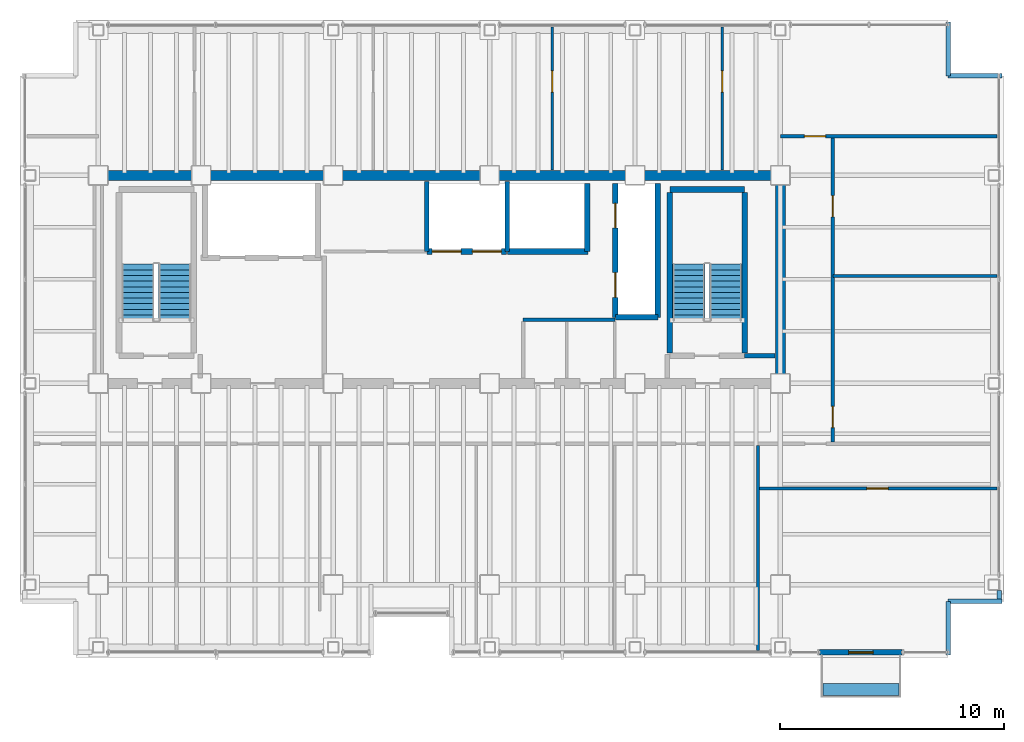
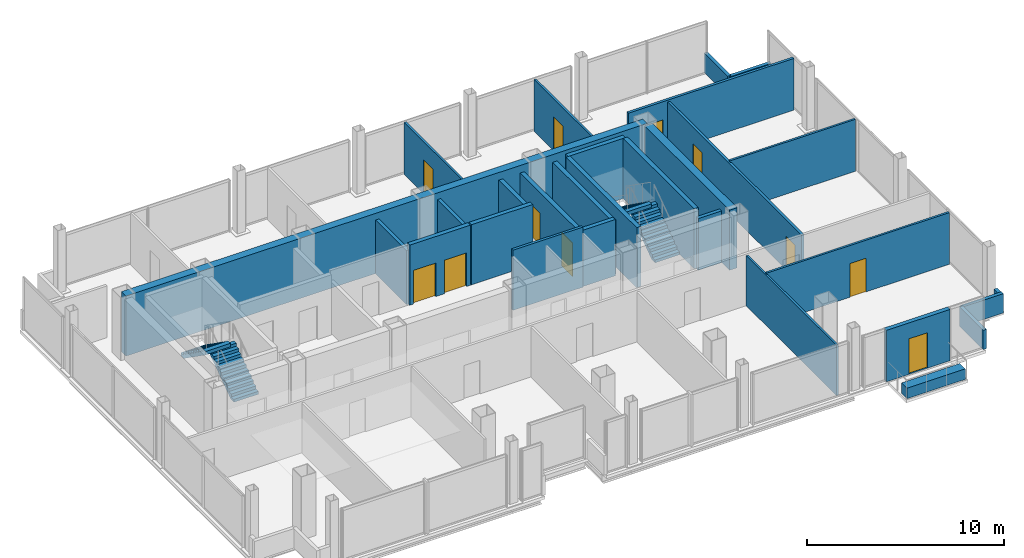
# One storey, part 14 of 16: 28 walls, 11 doors, 4 stair flights, 1 discrete accessory, 11 openings, 2 elements without a shape of their own.
"""IFC4 building model written with IfcOpenShell, lengths in metres."""

from ifc_helpers import new_model, si_unit, direction, frame, frame_2d, origin, origin_2d, place, context, subcontext, project, spatial, polyline, rectangle, outline, extrude, material, layer, layer_set, type_object, element, fill, aggregate, save


model = new_model("IFC4")

# Units and contexts
model_context = context("Model", 3, precision=1e-05, world=origin(), true_north=direction((0.0, 1.0)))
body_context = subcontext(model_context, "Body", "Model", "MODEL_VIEW")
ifc_project = project(units=[si_unit("LENGTHUNIT", "METRE"), si_unit("AREAUNIT", "SQUARE_METRE"), si_unit("VOLUMEUNIT", "CUBIC_METRE"), si_unit("PLANEANGLEUNIT", "RADIAN"), si_unit("MASSUNIT", "GRAM", prefix="KILO")], contexts=[model_context])

# Site, building, storey
site_placement = place(None, origin())
site = spatial("IfcSite", under=ifc_project, at=site_placement, CompositionType="ELEMENT")
building_placement = place(site_placement, origin())
building = spatial("IfcBuilding", under=site, at=building_placement, Name="Noeulbin Bourse Tower", CompositionType="ELEMENT")
storey_placement = place(building_placement, frame((0.0, 0.0, 181.199951171875)))
storey = spatial("IfcBuildingStorey", under=building, at=storey_placement, Name="L45", CompositionType="ELEMENT", Elevation=181.199951171875)

# Walls
ifc_material_1 = material(Name="Concrete C50/60", Category="concrete")
ifc_layer_1 = layer(ifc_material_1, 0.449951171875)
ifc_layer_set_1 = layer_set([ifc_layer_1], Name="Concrete C50/60")
wall_type_1 = type_object("IfcWallType", Name="WAL-CORE-450", PredefinedType="SHEAR", material=ifc_layer_set_1)
wall_1_placement = place(storey_placement, frame((13.5, 38.300048828125, 0.0), z_axis=(0.0, 0.0, 1.0), x_axis=(1.0, 0.0, 0.0)))
element("IfcWall", 1, at=wall_1_placement, inside=storey, type_object=wall_type_1, Name="Rear Core North Shear Wall L45", PredefinedType="SHEAR", context=body_context, shape_type="SweptSolid", body=[
    extrude(rectangle(XDim=30.5, YDim=0.449951171875, at=frame_2d((15.25, 0.0))), origin(), (0.0, 0.0, 1.0), 3.719970703125),
])
wall_2_placement = place(storey_placement, frame((44.0, 29.35009765625, 0.0), z_axis=(0.0, 0.0, 1.0), x_axis=(0.0, 1.0, 0.0)))
element("IfcWall", 2, at=wall_2_placement, inside=storey, type_object=wall_type_1, Name="Rear Core East Shear Wall L45", PredefinedType="SHEAR", context=body_context, shape_type="SweptSolid", body=[
    extrude(rectangle(XDim=8.599853515625, YDim=0.449951171875, at=frame_2d((4.2998046875, 0.0))), origin(), (0.0, 0.0, 1.0), 3.719970703125),
])

# Wall, opening, door
ifc_material_2 = material(Name="Precast Concrete C40/50", Category="concrete")
ifc_layer_2 = layer(ifc_material_2, 0.25)
ifc_layer_set_2 = layer_set([ifc_layer_2], Name="Precast Concrete C40/50")
wall_type_2 = type_object("IfcWallType", Name="WAL-EXT-250", PredefinedType="STANDARD", material=ifc_layer_set_2)
wall_3_placement = place(storey_placement, frame((45.75, 16.969970703125, 0.0), z_axis=(0.0, 0.0, 1.0), x_axis=(1.0, 0.0, 0.0)))
wall_3 = element("IfcWall", 3, at=wall_3_placement, inside=storey, type_object=wall_type_2, Name="Balcony Threshold Wall L45", PredefinedType="STANDARD", context=body_context, shape_type="SweptSolid", body=[
    extrude(rectangle(XDim=3.699951171875, YDim=0.25, at=frame_2d((1.85009765625, 0.0))), origin(), (0.0, 0.0, 1.0), 3.179931640625),
])
opening_1_placement = place(wall_3_placement, frame((1.300048828125, 0.0, 0.0)))
opening_1 = element("IfcOpeningElement", 4, at=opening_1_placement, cuts=wall_3, Name="Opening BD-11", PredefinedType="OPENING", context=body_context, shape_type="SweptSolid", body=[
    extrude(rectangle(XDim=1.10009765625, YDim=2.199951171875, at=frame_2d((0.550048828125, 1.10009765625))), frame((0.0, 0.135009765625, 0.0), z_axis=(0.0, -1.0, 0.0), x_axis=(1.0, 0.0, 0.0)), (0.0, 0.0, 1.0), 0.27001953125),
])
ifc_material_3 = material(Name="Thermally Broken Aluminium Framed Glass", Category="aluminium")
door_type_1 = type_object("IfcDoorType", Name="DR-BAL-1100", OperationType="SINGLE_SWING_LEFT", PredefinedType="DOOR", material=ifc_material_3)
door_1_placement = place(opening_1_placement, origin())
door_1 = element("IfcDoor", 5, at=door_1_placement, inside=storey, type_object=door_type_1, Name="Tree-Balcony Access Door BD-L45", OperationType="SINGLE_SWING_LEFT", OverallHeight=2.199951171875, OverallWidth=1.10009765625, PredefinedType="DOOR", context=body_context, shape_type="SweptSolid", body=[
    extrude(rectangle(XDim=1.10009765625, YDim=2.199951171875, at=frame_2d((0.550048828125, 1.10009765625))), frame((0.0, 0.02490234375, 0.0), z_axis=(0.0, -1.0, 0.0), x_axis=(1.0, 0.0, 0.0)), (0.0, 0.0, 1.0), 0.050048828125),
])
fill(opening_1, door_1)

# Walls
ifc_material_4 = material(Name="Concrete C40/50", Category="concrete")
ifc_layer_3 = layer(ifc_material_4, 0.199951171875)
ifc_layer_set_3 = layer_set([ifc_layer_3], Name="Concrete C40/50")
wall_type_3 = type_object("IfcWallType", Name="WAL-FIRE-200", PredefinedType="STANDARD", material=ifc_layer_set_3)
wall_4_placement = place(storey_placement, frame((42.39990234375, 30.239990234375, 0.0), z_axis=(0.0, 0.0, 1.0), x_axis=(1.0, 0.0, 0.0)))
element("IfcWall", 6, at=wall_4_placement, inside=storey, type_object=wall_type_3, Name="Interior Partition Wall L45-01", PredefinedType="STANDARD", context=body_context, shape_type="SweptSolid", body=[
    extrude(rectangle(XDim=1.364990234375, YDim=0.199951171875, at=frame_2d((0.6826171875, 0.0))), origin(), (0.0, 0.0, 1.0), 3.199951171875),
])
ifc_layer_4 = layer(ifc_material_4, 0.199951171875)
ifc_layer_set_4 = layer_set([ifc_layer_4], Name="Concrete C40/50")
wall_type_4 = type_object("IfcWallType", Name="WAL-PAR-200", PredefinedType="PARAPET", material=ifc_layer_set_4)
wall_5_placement = place(storey_placement, frame((53.780029296875, 19.35009765625, 0.0), z_axis=(0.0, 0.0, 1.0), x_axis=(0.0, 1.0, 0.0)))
element("IfcWall", 7, at=wall_5_placement, inside=storey, type_object=wall_type_4, Name="Perimeter Pier Spandrel Parapet L45-E3", PredefinedType="PARAPET", context=body_context, shape_type="SweptSolid", body=[
    extrude(rectangle(XDim=0.3798828125, YDim=0.199951171875, at=frame_2d((0.18994140625, 0.0))), origin(), (0.0, 0.0, 1.0), 1.199951171875),
])
for number, where, z_axis, x_axis, name in (
    (8, (51.5, 16.85009765625, 0.0), (0.0, 0.0, 1.0), (0.0, 1.0, 0.0), "Corner Notch Parapet L45-SE1"),
    (9, (51.5, 19.25, 0.0), (0.0, 0.0, 1.0), (1.0, 0.0, 0.0), "Corner Notch Parapet L45-SE2"),
    (10, (51.5, 45.14990234375, 0.0), (0.0, 0.0, 1.0), (0.0, -1.0, 0.0), "Corner Notch Parapet L45-NE1"),
    (11, (51.5, 42.75, 0.0), (0.0, 0.0, 1.0), (1.0, 0.0, 0.0), "Corner Notch Parapet L45-NE2"),
):
    element("IfcWall", number, at=place(storey_placement, frame(where, z_axis=z_axis, x_axis=x_axis)), inside=storey, type_object=wall_type_4, Name=name, PredefinedType="PARAPET", context=body_context, shape_type="SweptSolid", body=[
        extrude(rectangle(XDim=2.39990234375, YDim=0.199951171875, at=frame_2d((1.199951171875, 0.0))), origin(), (0.0, 0.0, 1.0), 1.199951171875),
    ])

# Wall, opening, door
ifc_material_5 = material(Name="Steel Stud Gypsum Partition", Category="steel")
ifc_layer_5 = layer(ifc_material_5, 0.1201171875)
ifc_layer_set_5 = layer_set([ifc_layer_5], Name="Steel Stud Gypsum Partition")
wall_type_5 = type_object("IfcWallType", Name="WAL-PRT-120", PredefinedType="PARTITIONING", material=ifc_layer_set_5)
wall_6_placement = place(storey_placement, frame((43.0, 24.300048828125, 0.0), z_axis=(0.0, 0.0, 1.0), x_axis=(1.0, 0.0, 0.0)))
wall_6 = element("IfcWall", 12, at=wall_6_placement, inside=storey, type_object=wall_type_5, Name="Interior Partition Wall L45-05", PredefinedType="PARTITIONING", context=body_context, shape_type="SweptSolid", body=[
    extrude(rectangle(XDim=10.68994140625, YDim=0.1201171875, at=frame_2d((5.344970703125, 0.0))), origin(), (0.0, 0.0, 1.0), 3.199951171875),
])
opening_2_placement = place(wall_6_placement, frame((4.8701171875, 0.0, 0.0)))
opening_2 = element("IfcOpeningElement", 13, at=opening_2_placement, cuts=wall_6, Name="Opening ID-09", PredefinedType="OPENING", context=body_context, shape_type="SweptSolid", body=[
    extrude(rectangle(XDim=0.949951171875, YDim=2.080078125, at=frame_2d((0.47509765625, 1.0400390625))), frame((0.0, 0.070068359375, 0.0), z_axis=(0.0, -1.0, 0.0), x_axis=(1.0, 0.0, 0.0)), (0.0, 0.0, 1.0), 0.14013671875),
])
ifc_material_6 = material(Name="Acoustic Solid-Core Timber", Category="wood")
door_type_2 = type_object("IfcDoorType", Name="DR-SINGLE-950", OperationType="SINGLE_SWING_LEFT", PredefinedType="DOOR", material=ifc_material_6)
door_2_placement = place(opening_2_placement, origin())
door_2 = element("IfcDoor", 14, at=door_2_placement, inside=storey, type_object=door_type_2, Name="Interior Door L45-13", OperationType="SINGLE_SWING_LEFT", OverallHeight=2.080078125, OverallWidth=0.949951171875, PredefinedType="DOOR", context=body_context, shape_type="SweptSolid", body=[
    extrude(rectangle(XDim=0.949951171875, YDim=2.080078125, at=frame_2d((0.47509765625, 1.0400390625))), frame((0.0, 0.02490234375, 0.0), z_axis=(0.0, -1.0, 0.0), x_axis=(1.0, 0.0, 0.0)), (0.0, 0.0, 1.0), 0.050048828125),
])
fill(opening_2, door_2)

# Walls
wall_7_placement = place(storey_placement, frame((46.35009765625, 33.800048828125, 0.0), z_axis=(0.0, 0.0, 1.0), x_axis=(1.0, 0.0, 0.0)))
element("IfcWall", 15, at=wall_7_placement, inside=storey, type_object=wall_type_5, Name="Interior Partition Wall L45-06", PredefinedType="PARTITIONING", context=body_context, shape_type="SweptSolid", body=[
    extrude(rectangle(XDim=7.33984375, YDim=0.1201171875, at=frame_2d((3.669921875, 0.0))), origin(), (0.0, 0.0, 1.0), 3.212158203125),
])
wall_8_placement = place(storey_placement, frame((43.0, 17.06005859375, 0.0), z_axis=(0.0, 0.0, 1.0), x_axis=(0.0, 1.0, 0.0)))
element("IfcWall", 16, at=wall_8_placement, inside=storey, type_object=wall_type_5, Name="Interior Partition Wall L45-20", PredefinedType="PARTITIONING", context=body_context, shape_type="SweptSolid", body=[
    extrude(rectangle(XDim=9.155029296875, YDim=0.1201171875, at=frame_2d((4.57763671875, 0.0))), origin(), (0.0, 0.0, 1.0), 3.10009765625),
])

# Wall, opening, door
wall_9_placement = place(storey_placement, frame((33.800048828125, 38.534912109375, 0.0), z_axis=(0.0, 0.0, 1.0), x_axis=(0.0, 1.0, 0.0)))
wall_9 = element("IfcWall", 17, at=wall_9_placement, inside=storey, type_object=wall_type_5, Name="Interior Partition Wall L45-23", PredefinedType="PARTITIONING", context=body_context, shape_type="SweptSolid", body=[
    extrude(rectangle(XDim=6.405029296875, YDim=0.1201171875, at=frame_2d((3.20263671875, 0.0))), origin(), (0.0, 0.0, 1.0), 3.212158203125),
])
opening_3_placement = place(wall_9_placement, frame((3.485107421875, 0.0, 0.0)))
opening_3 = element("IfcOpeningElement", 18, at=opening_3_placement, cuts=wall_9, Name="Opening ID-09", PredefinedType="OPENING", context=body_context, shape_type="SweptSolid", body=[
    extrude(rectangle(XDim=0.949951171875, YDim=2.080078125, at=frame_2d((0.47509765625, 1.0400390625))), frame((0.0, 0.070068359375, 0.0), z_axis=(0.0, -1.0, 0.0), x_axis=(1.0, 0.0, 0.0)), (0.0, 0.0, 1.0), 0.14013671875),
])
door_3_placement = place(opening_3_placement, origin())
door_3 = element("IfcDoor", 19, at=door_3_placement, inside=storey, type_object=door_type_2, Name="Interior Door L45-20", OperationType="SINGLE_SWING_RIGHT", OverallHeight=2.080078125, OverallWidth=0.949951171875, PredefinedType="DOOR", context=body_context, shape_type="SweptSolid", body=[
    extrude(rectangle(XDim=0.949951171875, YDim=2.080078125, at=frame_2d((0.47509765625, 1.0400390625))), frame((0.0, 0.02490234375, 0.0), z_axis=(0.0, -1.0, 0.0), x_axis=(1.0, 0.0, 0.0)), (0.0, 0.0, 1.0), 0.050048828125),
])
fill(opening_3, door_3)

wall_10_placement = place(storey_placement, frame((41.39990234375, 38.534912109375, 0.0), z_axis=(0.0, 0.0, 1.0), x_axis=(0.0, 1.0, 0.0)))
wall_10 = element("IfcWall", 20, at=wall_10_placement, inside=storey, type_object=wall_type_5, Name="Interior Partition Wall L45-24", PredefinedType="PARTITIONING", context=body_context, shape_type="SweptSolid", body=[
    extrude(rectangle(XDim=6.405029296875, YDim=0.1201171875, at=frame_2d((3.20263671875, 0.0))), origin(), (0.0, 0.0, 1.0), 3.212158203125),
])
opening_4_placement = place(wall_10_placement, frame((3.485107421875, 0.0, 0.0)))
opening_4 = element("IfcOpeningElement", 21, at=opening_4_placement, cuts=wall_10, Name="Opening ID-09", PredefinedType="OPENING", context=body_context, shape_type="SweptSolid", body=[
    extrude(rectangle(XDim=0.949951171875, YDim=2.080078125, at=frame_2d((0.47509765625, 1.0400390625))), frame((0.0, 0.070068359375, 0.0), z_axis=(0.0, -1.0, 0.0), x_axis=(1.0, 0.0, 0.0)), (0.0, 0.0, 1.0), 0.14013671875),
])
door_4_placement = place(opening_4_placement, origin())
door_4 = element("IfcDoor", 22, at=door_4_placement, inside=storey, type_object=door_type_2, Name="Interior Door L45-21", OperationType="SINGLE_SWING_LEFT", OverallHeight=2.080078125, OverallWidth=0.949951171875, PredefinedType="DOOR", context=body_context, shape_type="SweptSolid", body=[
    extrude(rectangle(XDim=0.949951171875, YDim=2.080078125, at=frame_2d((0.47509765625, 1.0400390625))), frame((0.0, 0.02490234375, 0.0), z_axis=(0.0, -1.0, 0.0), x_axis=(1.0, 0.0, 0.0)), (0.0, 0.0, 1.0), 0.050048828125),
])
fill(opening_4, door_4)

# Wall
ifc_material_7 = material(Name="Steel Stud Acoustic Gypsum Board", Category="steel")
ifc_layer_6 = layer(ifc_material_7, 0.14990234375)
ifc_layer_set_6 = layer_set([ifc_layer_6], Name="Steel Stud Acoustic Gypsum Board")
wall_type_6 = type_object("IfcWallType", Name="WAL-PRT-150", PredefinedType="PARTITIONING", material=ifc_layer_set_6)
wall_11_placement = place(storey_placement, frame((32.5, 31.85009765625, 0.0), z_axis=(0.0, 0.0, 1.0), x_axis=(1.0, 0.0, 0.0)))
element("IfcWall", 23, at=wall_11_placement, inside=storey, type_object=wall_type_6, Name="Interior Partition Wall L45-03", PredefinedType="PARTITIONING", context=body_context, shape_type="SweptSolid", body=[
    extrude(rectangle(XDim=4.10009765625, YDim=0.14990234375, at=frame_2d((2.050048828125, 0.0))), origin(), (0.0, 0.0, 1.0), 3.719970703125),
])

# Wall, opening, door
wall_12_placement = place(storey_placement, frame((44.0, 40.050048828125, 0.0), z_axis=(0.0, 0.0, 1.0), x_axis=(1.0, 0.0, 0.0)))
wall_12 = element("IfcWall", 24, at=wall_12_placement, inside=storey, type_object=wall_type_6, Name="Interior Partition Wall L45-08", PredefinedType="PARTITIONING", context=body_context, shape_type="SweptSolid", body=[
    extrude(rectangle(XDim=9.68994140625, YDim=0.14990234375, at=frame_2d((4.844970703125, 0.0))), origin(), (0.0, 0.0, 1.0), 3.199951171875),
])
opening_5_placement = place(wall_12_placement, frame((1.074951171875, 0.0, 0.0)))
opening_5 = element("IfcOpeningElement", 25, at=opening_5_placement, cuts=wall_12, Name="Opening ID-09", PredefinedType="OPENING", context=body_context, shape_type="SweptSolid", body=[
    extrude(rectangle(XDim=0.949951171875, YDim=2.080078125, at=frame_2d((0.47509765625, 1.0400390625))), frame((0.0, 0.0849609375, 0.0), z_axis=(0.0, -1.0, 0.0), x_axis=(1.0, 0.0, 0.0)), (0.0, 0.0, 1.0), 0.169921875),
])
door_5_placement = place(opening_5_placement, origin())
door_5 = element("IfcDoor", 26, at=door_5_placement, inside=storey, type_object=door_type_2, Name="Interior Door L45-17", OperationType="SINGLE_SWING_LEFT", OverallHeight=2.080078125, OverallWidth=0.949951171875, PredefinedType="DOOR", context=body_context, shape_type="SweptSolid", body=[
    extrude(rectangle(XDim=0.949951171875, YDim=2.080078125, at=frame_2d((0.47509765625, 1.0400390625))), frame((0.0, 0.02490234375, 0.0), z_axis=(0.0, -1.0, 0.0), x_axis=(1.0, 0.0, 0.0)), (0.0, 0.0, 1.0), 0.050048828125),
])
fill(opening_5, door_5)

# Wall, openings, doors
wall_13_placement = place(storey_placement, frame((46.35009765625, 26.385009765625, 0.0), z_axis=(0.0, 0.0, 1.0), x_axis=(0.0, 1.0, 0.0)))
wall_13 = element("IfcWall", 27, at=wall_13_placement, inside=storey, type_object=wall_type_6, Name="Interior Partition Wall L45-15", PredefinedType="PARTITIONING", context=body_context, shape_type="SweptSolid", body=[
    extrude(rectangle(XDim=13.580078125, YDim=0.14990234375, at=frame_2d((6.7900390625, 0.0))), origin(), (0.0, 0.0, 1.0), 3.10009765625),
])
opening_6_placement = place(wall_13_placement, frame((0.639892578125, 0.0, 0.0)))
opening_6 = element("IfcOpeningElement", 28, at=opening_6_placement, cuts=wall_13, Name="Opening ID-09", PredefinedType="OPENING", context=body_context, shape_type="SweptSolid", body=[
    extrude(rectangle(XDim=0.949951171875, YDim=2.080078125, at=frame_2d((0.47509765625, 1.0400390625))), frame((0.0, 0.0849609375, 0.0), z_axis=(0.0, -1.0, 0.0), x_axis=(1.0, 0.0, 0.0)), (0.0, 0.0, 1.0), 0.169921875),
])
opening_7_placement = place(wall_13_placement, frame((10.06494140625, 0.0, 0.0)))
opening_7 = element("IfcOpeningElement", 29, at=opening_7_placement, cuts=wall_13, Name="Opening ID-09", PredefinedType="OPENING", context=body_context, shape_type="SweptSolid", body=[
    extrude(rectangle(XDim=0.949951171875, YDim=2.080078125, at=frame_2d((0.47509765625, 1.0400390625))), frame((0.0, 0.0849609375, 0.0), z_axis=(0.0, -1.0, 0.0), x_axis=(1.0, 0.0, 0.0)), (0.0, 0.0, 1.0), 0.169921875),
])
door_6_placement = place(opening_6_placement, origin())
door_6 = element("IfcDoor", 30, at=door_6_placement, inside=storey, type_object=door_type_2, Name="Interior Door L45-15", OperationType="SINGLE_SWING_LEFT", OverallHeight=2.080078125, OverallWidth=0.949951171875, PredefinedType="DOOR", context=body_context, shape_type="SweptSolid", body=[
    extrude(rectangle(XDim=0.949951171875, YDim=2.080078125, at=frame_2d((0.47509765625, 1.0400390625))), frame((0.0, 0.02490234375, 0.0), z_axis=(0.0, -1.0, 0.0), x_axis=(1.0, 0.0, 0.0)), (0.0, 0.0, 1.0), 0.050048828125),
])
fill(opening_6, door_6)
door_7_placement = place(opening_7_placement, origin())
door_7 = element("IfcDoor", 31, at=door_7_placement, inside=storey, type_object=door_type_2, Name="Interior Door L45-16", OperationType="SINGLE_SWING_RIGHT", OverallHeight=2.080078125, OverallWidth=0.949951171875, PredefinedType="DOOR", context=body_context, shape_type="SweptSolid", body=[
    extrude(rectangle(XDim=0.949951171875, YDim=2.080078125, at=frame_2d((0.47509765625, 1.0400390625))), frame((0.0, 0.02490234375, 0.0), z_axis=(0.0, -1.0, 0.0), x_axis=(1.0, 0.0, 0.0)), (0.0, 0.0, 1.0), 0.050048828125),
])
fill(opening_7, door_7)

# Walls
ifc_layer_7 = layer(ifc_material_4, 0.25)
ifc_layer_set_7 = layer_set([ifc_layer_7], Name="Concrete C40/50")
wall_type_7 = type_object("IfcWallType", Name="WAL-SHFT-250", PredefinedType="STANDARD", material=ifc_layer_set_7)
wall_14_placement = place(storey_placement, frame((39.06005859375, 37.6689453125, 0.0), z_axis=(0.0, 0.0, 1.0), x_axis=(1.0, 0.0, 0.0)))
element("IfcWall", 32, at=wall_14_placement, inside=storey, type_object=wall_type_7, Name="Stair ST-2 North Shaft Wall L45", PredefinedType="STANDARD", context=body_context, shape_type="SweptSolid", body=[
    extrude(rectangle(XDim=3.33984375, YDim=0.25, at=frame_2d((1.669921875, 0.0))), origin(), (0.0, 0.0, 1.0), 3.719970703125),
])
for number, where, z_axis, x_axis, name in (
    (33, (39.054931640625, 30.360107421875, 0.0), (0.0, 0.0, 1.0), (0.0, 1.0, 0.0), "Stair ST-2 West Shaft Wall L45"),
    (34, (42.405029296875, 30.360107421875, 0.0), (0.0, 0.0, 1.0), (0.0, 1.0, 0.0), "Stair ST-2 East Shaft Wall L45"),
):
    element("IfcWall", number, at=place(storey_placement, frame(where, z_axis=z_axis, x_axis=x_axis)), inside=storey, type_object=wall_type_7, Name=name, PredefinedType="STANDARD", context=body_context, shape_type="SweptSolid", body=[
        extrude(rectangle(XDim=7.183837890625, YDim=0.25, at=frame_2d((3.591796875, 0.0))), origin(), (0.0, 0.0, 1.0), 3.719970703125),
    ])

# Wall, openings, doors
wall_15_placement = place(storey_placement, frame((36.6201171875, 31.949951171875, 0.0), z_axis=(0.0, 0.0, 1.0), x_axis=(0.0, 1.0, 0.0)))
wall_15 = element("IfcWall", 35, at=wall_15_placement, inside=storey, type_object=wall_type_7, Name="Service Lift Shaft Wall L45", PredefinedType="STANDARD", context=body_context, shape_type="SweptSolid", body=[
    extrude(rectangle(XDim=6.0, YDim=0.25, at=frame_2d((3.0, 0.0))), origin(), (0.0, 0.0, 1.0), 3.35009765625),
])
opening_8_placement = place(wall_15_placement, frame((0.89990234375, 0.0, 0.0)))
opening_8 = element("IfcOpeningElement", 36, at=opening_8_placement, cuts=wall_15, Name="Opening LD-11", PredefinedType="OPENING", context=body_context, shape_type="SweptSolid", body=[
    extrude(rectangle(XDim=1.10009765625, YDim=2.080078125, at=frame_2d((0.550048828125, 1.0400390625))), frame((0.0, 0.135009765625, 0.0), z_axis=(0.0, -1.0, 0.0), x_axis=(1.0, 0.0, 0.0)), (0.0, 0.0, 1.0), 0.27001953125),
])
opening_9_placement = place(wall_15_placement, frame((4.0, 0.0, 0.0)))
opening_9 = element("IfcOpeningElement", 37, at=opening_9_placement, cuts=wall_15, Name="Opening LD-11", PredefinedType="OPENING", context=body_context, shape_type="SweptSolid", body=[
    extrude(rectangle(XDim=1.10009765625, YDim=2.080078125, at=frame_2d((0.550048828125, 1.0400390625))), frame((0.0, 0.135009765625, 0.0), z_axis=(0.0, -1.0, 0.0), x_axis=(1.0, 0.0, 0.0)), (0.0, 0.0, 1.0), 0.27001953125),
])
ifc_material_8 = material(Name="Brushed Stainless Steel 316", Category="steel")
door_type_3 = type_object("IfcDoorType", Name="DR-LIFT-1100", OperationType="SLIDING_TO_LEFT", PredefinedType="DOOR", material=ifc_material_8)
door_8_placement = place(opening_8_placement, origin())
door_8 = element("IfcDoor", 38, at=door_8_placement, inside=storey, type_object=door_type_3, Name="Lift Landing Door LD-EL-01-L45", OperationType="SLIDING_TO_LEFT", OverallHeight=2.080078125, OverallWidth=1.10009765625, PredefinedType="DOOR", context=body_context, shape_type="SweptSolid", body=[
    extrude(rectangle(XDim=1.10009765625, YDim=2.080078125, at=frame_2d((0.550048828125, 1.0400390625))), frame((0.0, 0.02490234375, 0.0), z_axis=(0.0, -1.0, 0.0), x_axis=(1.0, 0.0, 0.0)), (0.0, 0.0, 1.0), 0.050048828125),
])
fill(opening_8, door_8)
door_9_placement = place(opening_9_placement, origin())
door_9 = element("IfcDoor", 39, at=door_9_placement, inside=storey, type_object=door_type_3, Name="Lift Landing Door LD-SV-01-L45", OperationType="SLIDING_TO_LEFT", OverallHeight=2.080078125, OverallWidth=1.10009765625, PredefinedType="DOOR", context=body_context, shape_type="SweptSolid", body=[
    extrude(rectangle(XDim=1.10009765625, YDim=2.080078125, at=frame_2d((0.550048828125, 1.0400390625))), frame((0.0, 0.02490234375, 0.0), z_axis=(0.0, -1.0, 0.0), x_axis=(1.0, 0.0, 0.0)), (0.0, 0.0, 1.0), 0.050048828125),
])
fill(opening_9, door_9)

# Walls
wall_16_placement = place(storey_placement, frame((38.52001953125, 31.949951171875, 0.0), z_axis=(0.0, 0.0, 1.0), x_axis=(0.0, 1.0, 0.0)))
element("IfcWall", 40, at=wall_16_placement, inside=storey, type_object=wall_type_7, Name="Service Lift East Shaft Wall L45", PredefinedType="STANDARD", context=body_context, shape_type="SweptSolid", body=[
    extrude(rectangle(XDim=6.0, YDim=0.25, at=frame_2d((3.0, 0.0))), origin(), (0.0, 0.0, 1.0), 3.35009765625),
])
wall_17_placement = place(storey_placement, frame((36.6201171875, 31.949951171875, 0.0), z_axis=(0.0, 0.0, 1.0), x_axis=(1.0, 0.0, 0.0)))
element("IfcWall", 41, at=wall_17_placement, inside=storey, type_object=wall_type_7, Name="Service Lift South Shaft Wall L45", PredefinedType="STANDARD", context=body_context, shape_type="SweptSolid", body=[
    extrude(rectangle(XDim=1.89990234375, YDim=0.25, at=frame_2d((0.949951171875, 0.0))), origin(), (0.0, 0.0, 1.0), 3.47998046875),
])
wall_18_placement = place(storey_placement, frame((35.360107421875, 34.89990234375, 0.0), z_axis=(0.0, 0.0, 1.0), x_axis=(0.0, 1.0, 0.0)))
element("IfcWall", 42, at=wall_18_placement, inside=storey, type_object=wall_type_7, Name="High-Rise Lift East Shaft Wall L45", PredefinedType="STANDARD", context=body_context, shape_type="SweptSolid", body=[
    extrude(rectangle(XDim=3.050048828125, YDim=0.25, at=frame_2d((1.52490234375, 0.0))), origin(), (0.0, 0.0, 1.0), 3.35009765625),
])

# Wall, openings, doors
wall_19_placement = place(storey_placement, frame((28.199951171875, 34.89990234375, 0.0), z_axis=(0.0, 0.0, 1.0), x_axis=(1.0, 0.0, 0.0)))
wall_19 = element("IfcWall", 43, at=wall_19_placement, inside=storey, type_object=wall_type_7, Name="Mid-Rise Lift Bank Front L45", PredefinedType="STANDARD", context=body_context, shape_type="SweptSolid", body=[
    extrude(rectangle(XDim=3.550048828125, YDim=0.25, at=frame_2d((1.77490234375, 0.0))), origin(), (0.0, 0.0, 1.0), 3.719970703125),
])
opening_10_placement = place(wall_19_placement, frame((0.22998046875, 0.0, 0.0)))
opening_10 = element("IfcOpeningElement", 44, at=opening_10_placement, cuts=wall_19, Name="Opening LD-13", PredefinedType="OPENING", context=body_context, shape_type="SweptSolid", body=[
    extrude(rectangle(XDim=1.300048828125, YDim=2.080078125, at=frame_2d((0.64990234375, 1.0400390625))), frame((0.0, 0.135009765625, 0.0), z_axis=(0.0, -1.0, 0.0), x_axis=(1.0, 0.0, 0.0)), (0.0, 0.0, 1.0), 0.27001953125),
])
opening_11_placement = place(wall_19_placement, frame((2.030029296875, 0.0, 0.0)))
opening_11 = element("IfcOpeningElement", 45, at=opening_11_placement, cuts=wall_19, Name="Opening LD-13", PredefinedType="OPENING", context=body_context, shape_type="SweptSolid", body=[
    extrude(rectangle(XDim=1.300048828125, YDim=2.080078125, at=frame_2d((0.64990234375, 1.0400390625))), frame((0.0, 0.135009765625, 0.0), z_axis=(0.0, -1.0, 0.0), x_axis=(1.0, 0.0, 0.0)), (0.0, 0.0, 1.0), 0.27001953125),
])
door_type_4 = type_object("IfcDoorType", Name="DR-LIFT-1300", OperationType="DOUBLE_DOOR_SLIDING", PredefinedType="DOOR", material=ifc_material_8)
door_10_placement = place(opening_10_placement, origin())
door_10 = element("IfcDoor", 46, at=door_10_placement, inside=storey, type_object=door_type_4, Name="Lift Landing Door LD-PL-M1-L45", OperationType="DOUBLE_DOOR_SLIDING", OverallHeight=2.080078125, OverallWidth=1.300048828125, PredefinedType="DOOR", context=body_context, shape_type="SweptSolid", body=[
    extrude(rectangle(XDim=1.300048828125, YDim=2.080078125, at=frame_2d((0.64990234375, 1.0400390625))), frame((0.0, 0.02490234375, 0.0), z_axis=(0.0, -1.0, 0.0), x_axis=(1.0, 0.0, 0.0)), (0.0, 0.0, 1.0), 0.050048828125),
])
fill(opening_10, door_10)
door_11_placement = place(opening_11_placement, origin())
door_11 = element("IfcDoor", 47, at=door_11_placement, inside=storey, type_object=door_type_4, Name="Lift Landing Door LD-PL-M2-L45", OperationType="DOUBLE_DOOR_SLIDING", OverallHeight=2.080078125, OverallWidth=1.300048828125, PredefinedType="DOOR", context=body_context, shape_type="SweptSolid", body=[
    extrude(rectangle(XDim=1.300048828125, YDim=2.080078125, at=frame_2d((0.64990234375, 1.0400390625))), frame((0.0, 0.02490234375, 0.0), z_axis=(0.0, -1.0, 0.0), x_axis=(1.0, 0.0, 0.0)), (0.0, 0.0, 1.0), 0.050048828125),
])
fill(opening_11, door_11)

# Walls
wall_20_placement = place(storey_placement, frame((31.800048828125, 34.89990234375, 0.0), z_axis=(0.0, 0.0, 1.0), x_axis=(1.0, 0.0, 0.0)))
element("IfcWall", 48, at=wall_20_placement, inside=storey, type_object=wall_type_7, Name="High-Rise Lift Bank Front L45", PredefinedType="STANDARD", context=body_context, shape_type="SweptSolid", body=[
    extrude(rectangle(XDim=3.599853515625, YDim=0.25, at=frame_2d((1.7998046875, 0.0))), origin(), (0.0, 0.0, 1.0), 3.719970703125),
])
for number, where, z_axis, x_axis, name in (
    (49, (28.179931640625, 34.89990234375, 0.0), (0.0, 0.0, 1.0), (0.0, 1.0, 0.0), "Hoistway Side Shaft Wall L45-PLMW"),
    (50, (31.780029296875, 34.89990234375, 0.0), (0.0, 0.0, 1.0), (0.0, 1.0, 0.0), "Hoistway Side Shaft Wall L45-PLHW"),
):
    element("IfcWall", number, at=place(storey_placement, frame(where, z_axis=z_axis, x_axis=x_axis)), inside=storey, type_object=wall_type_7, Name=name, PredefinedType="STANDARD", context=body_context, shape_type="SweptSolid", body=[
        extrude(rectangle(XDim=3.1201171875, YDim=0.199951171875, at=frame_2d((1.56005859375, 0.0))), origin(), (0.0, 0.0, 1.0), 3.35009765625),
    ])

# Stair, stair flights
stair_type = type_object("IfcStairType", Name="STR-CORE-1560", PredefinedType="HALF_TURN_STAIR", material=ifc_material_4)
stair_1_placement = place(storey_placement, origin())
stair_1 = element("IfcStair", 51, at=stair_1_placement, inside=storey, type_object=stair_type, Name="L45 ST-1", PredefinedType="HALF_TURN_STAIR")
stair_flight_type = type_object("IfcStairFlightType", Name="SFL-CORE-1560", PredefinedType="STRAIGHT", material=ifc_material_4)
stair_flight_1_placement = place(storey_placement, frame((16.925048828125, 31.81005859375, 0.0), z_axis=(0.0, 0.0, 1.0), x_axis=(0.0, 1.0, 0.0)))
stair_flight_1 = element("IfcStairFlight", 52, at=stair_flight_1_placement, type_object=stair_flight_type, Name="ST-1 flight 1", NumberOfRisers=11, NumberOfTreads=10, PredefinedType="STRAIGHT", RiserHeight=0.177272727, TreadLength=0.252, context=body_context, shape_type="SweptSolid", body=[
    extrude(outline(polyline([(0.0, 0.0), (0.0, 0.17724609375), (0.251953125, 0.17724609375), (0.251953125, 0.3544921875), (0.50390625, 0.3544921875), (0.50390625, 0.53173828125), (0.756103515625, 0.53173828125), (0.756103515625, 0.708984375), (1.008056640625, 0.708984375), (1.008056640625, 0.886474609375), (1.260009765625, 0.886474609375), (1.260009765625, 1.063720703125), (1.511962890625, 1.063720703125), (1.511962890625, 1.240966796875), (1.763916015625, 1.240966796875), (1.763916015625, 1.418212890625), (2.01611328125, 1.418212890625), (2.01611328125, 1.595458984375), (2.26806640625, 1.595458984375), (2.26806640625, 1.772705078125), (2.52001953125, 1.772705078125), (2.52001953125, 1.949951171875), (2.52001953125, 1.552734375), (0.312744140625, 0.0), (0.0, 0.0)])), frame((0.0, 0.72509765625, 0.0), z_axis=(0.0, -1.0, 0.0), x_axis=(1.0, 0.0, 0.0)), (0.0, 0.0, 1.0), 1.449951171875),
])
stair_flight_2_placement = place(storey_placement, frame((15.27490234375, 34.330078125, 1.949951171875), z_axis=(0.0, 0.0, 1.0), x_axis=(0.0, -1.0, 0.0)))
stair_flight_2 = element("IfcStairFlight", 53, at=stair_flight_2_placement, type_object=stair_flight_type, Name="ST-1 flight 2", NumberOfRisers=11, NumberOfTreads=10, PredefinedType="STRAIGHT", RiserHeight=0.177272727, TreadLength=0.252, context=body_context, shape_type="SweptSolid", body=[
    extrude(outline(polyline([(0.0, 0.0), (0.0, 0.17724609375), (0.251953125, 0.17724609375), (0.251953125, 0.3544921875), (0.50390625, 0.3544921875), (0.50390625, 0.53173828125), (0.756103515625, 0.53173828125), (0.756103515625, 0.708984375), (1.008056640625, 0.708984375), (1.008056640625, 0.886474609375), (1.260009765625, 0.886474609375), (1.260009765625, 1.063720703125), (1.511962890625, 1.063720703125), (1.511962890625, 1.240966796875), (1.763916015625, 1.240966796875), (1.763916015625, 1.418212890625), (2.01611328125, 1.418212890625), (2.01611328125, 1.595458984375), (2.26806640625, 1.595458984375), (2.26806640625, 1.772705078125), (2.52001953125, 1.772705078125), (2.52001953125, 1.949951171875), (2.52001953125, 1.552734375), (0.312744140625, 0.0), (0.0, 0.0)])), frame((0.0, 0.72509765625, 0.0), z_axis=(0.0, -1.0, 0.0), x_axis=(1.0, 0.0, 0.0)), (0.0, 0.0, 1.0), 1.449951171875),
])
aggregate(stair_1, [stair_flight_1, stair_flight_2])

stair_2_placement = place(storey_placement, origin())
stair_2 = element("IfcStair", 54, at=stair_2_placement, inside=storey, type_object=stair_type, Name="L45 ST-2", PredefinedType="HALF_TURN_STAIR")
stair_flight_3_placement = place(storey_placement, frame((41.554931640625, 31.81005859375, 0.0), z_axis=(0.0, 0.0, 1.0), x_axis=(0.0, 1.0, 0.0)))
stair_flight_3 = element("IfcStairFlight", 55, at=stair_flight_3_placement, type_object=stair_flight_type, Name="ST-2 flight 1", NumberOfRisers=11, NumberOfTreads=10, PredefinedType="STRAIGHT", RiserHeight=0.177272727, TreadLength=0.252, context=body_context, shape_type="SweptSolid", body=[
    extrude(outline(polyline([(0.0, 0.0), (0.0, 0.17724609375), (0.251953125, 0.17724609375), (0.251953125, 0.3544921875), (0.50390625, 0.3544921875), (0.50390625, 0.53173828125), (0.756103515625, 0.53173828125), (0.756103515625, 0.708984375), (1.008056640625, 0.708984375), (1.008056640625, 0.886474609375), (1.260009765625, 0.886474609375), (1.260009765625, 1.063720703125), (1.511962890625, 1.063720703125), (1.511962890625, 1.240966796875), (1.763916015625, 1.240966796875), (1.763916015625, 1.418212890625), (2.01611328125, 1.418212890625), (2.01611328125, 1.595458984375), (2.26806640625, 1.595458984375), (2.26806640625, 1.772705078125), (2.52001953125, 1.772705078125), (2.52001953125, 1.949951171875), (2.52001953125, 1.552734375), (0.312744140625, 0.0), (0.0, 0.0)])), frame((0.0, 0.72509765625, 0.0), z_axis=(0.0, -1.0, 0.0), x_axis=(1.0, 0.0, 0.0)), (0.0, 0.0, 1.0), 1.449951171875),
])
stair_flight_4_placement = place(storey_placement, frame((39.905029296875, 34.330078125, 1.949951171875), z_axis=(0.0, 0.0, 1.0), x_axis=(0.0, -1.0, 0.0)))
stair_flight_4 = element("IfcStairFlight", 56, at=stair_flight_4_placement, type_object=stair_flight_type, Name="ST-2 flight 2", NumberOfRisers=11, NumberOfTreads=10, PredefinedType="STRAIGHT", RiserHeight=0.177272727, TreadLength=0.252, context=body_context, shape_type="SweptSolid", body=[
    extrude(outline(polyline([(0.0, 0.0), (0.0, 0.17724609375), (0.251953125, 0.17724609375), (0.251953125, 0.3544921875), (0.50390625, 0.3544921875), (0.50390625, 0.53173828125), (0.756103515625, 0.53173828125), (0.756103515625, 0.708984375), (1.008056640625, 0.708984375), (1.008056640625, 0.886474609375), (1.260009765625, 0.886474609375), (1.260009765625, 1.063720703125), (1.511962890625, 1.063720703125), (1.511962890625, 1.240966796875), (1.763916015625, 1.240966796875), (1.763916015625, 1.418212890625), (2.01611328125, 1.418212890625), (2.01611328125, 1.595458984375), (2.26806640625, 1.595458984375), (2.26806640625, 1.772705078125), (2.52001953125, 1.772705078125), (2.52001953125, 1.949951171875), (2.52001953125, 1.552734375), (0.312744140625, 0.0), (0.0, 0.0)])), frame((0.0, 0.72509765625, 0.0), z_axis=(0.0, -1.0, 0.0), x_axis=(1.0, 0.0, 0.0)), (0.0, 0.0, 1.0), 1.449951171875),
])
aggregate(stair_2, [stair_flight_3, stair_flight_4])

# Discrete accessory
ifc_material_9 = material(Name="Architectural GFRC Concrete C40/50", Category="concrete")
ifc_layer_8 = layer(ifc_material_9, 0.64990234375)
ifc_layer_set_8 = layer_set([ifc_layer_8], Name="Architectural GFRC Concrete C40/50")
discrete_accessory_type = type_object("IfcDiscreteAccessoryType", Name="PLANTER-BOX-3600", PredefinedType="USERDEFINED", material=ifc_layer_set_8)
discrete_accessory_placement = place(storey_placement, frame((47.60009765625, 15.31005859375, 0.0), z_axis=(0.0, 0.0, 1.0), x_axis=(1.0, 0.0, 0.0)))
element("IfcDiscreteAccessory", 57, at=discrete_accessory_placement, inside=storey, type_object=discrete_accessory_type, Name="Integrated Balcony Tree Planter Box L45", ObjectType="PLANTER", PredefinedType="USERDEFINED", context=body_context, shape_type="SweptSolid", body=[
    extrude(rectangle(XDim=3.39990234375, YDim=0.550048828125, at=origin_2d()), origin(), (0.0, 0.0, 1.0), 0.64990234375),
])

save(model, "model.ifc")
